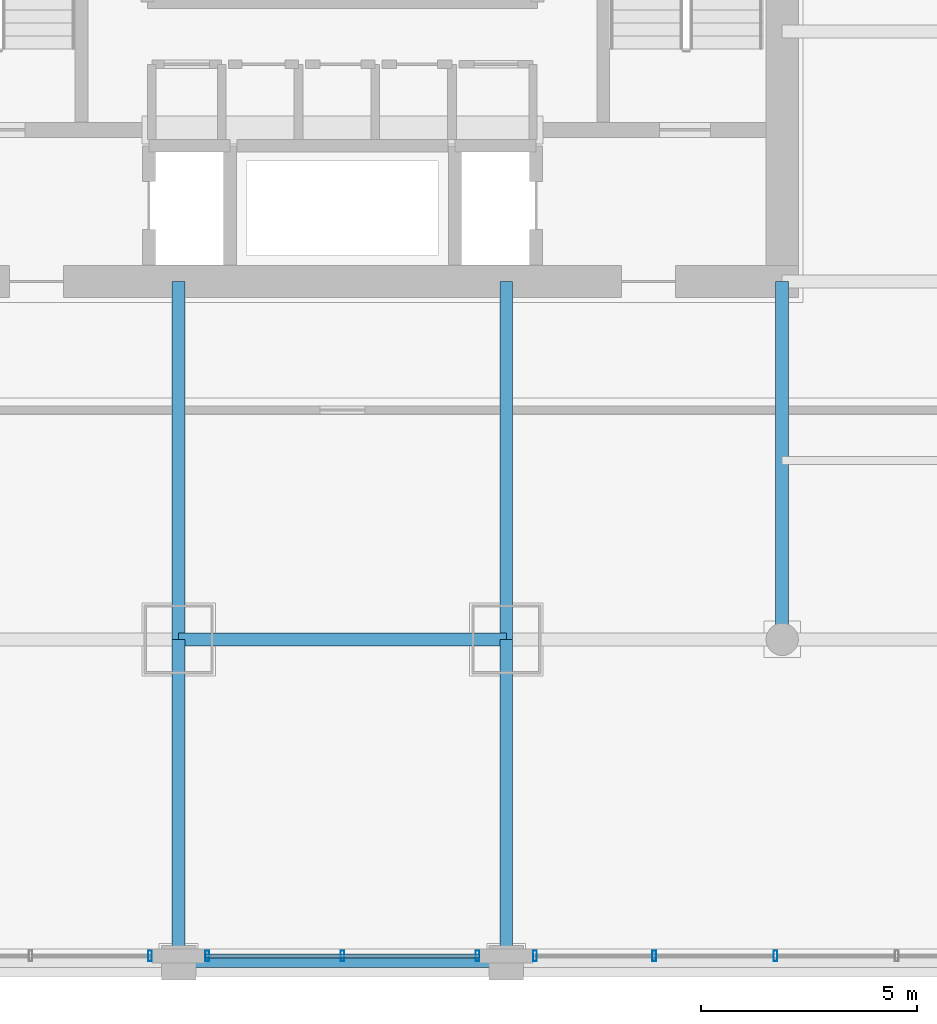
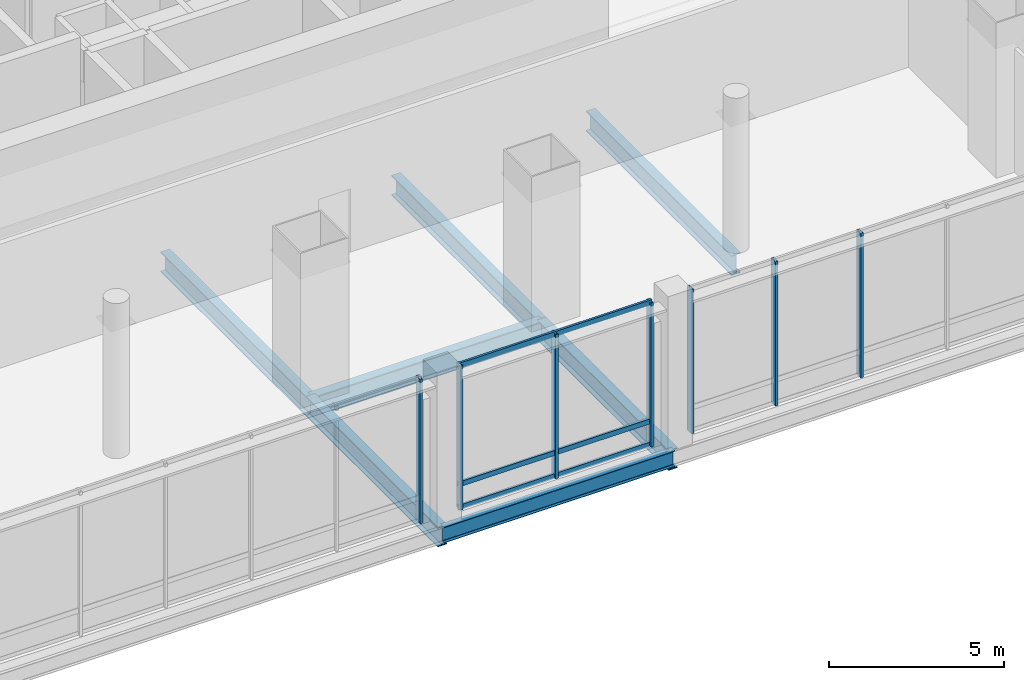
# One storey, part 6 of 35: 10 members, 7 beams, 3 elements without a shape of their own.
"""IFC4 building model written with IfcOpenShell, lengths in metres."""

from ifc_helpers import new_model, si_unit, direction, frame, origin, origin_2d, place, context, subcontext, project, spatial, hollow_rectangle, i_section, extrude, material, material_profile, profile_set, type_object, element, aggregate, save


model = new_model("IFC4")

# Units and contexts
model_context = context("Model", 3, precision=1e-05, world=origin(), true_north=direction((0.0, 1.0)))
body_context = subcontext(model_context, "Body", "Model", "MODEL_VIEW")
ifc_project = project(units=[si_unit("LENGTHUNIT", "METRE"), si_unit("AREAUNIT", "SQUARE_METRE"), si_unit("VOLUMEUNIT", "CUBIC_METRE"), si_unit("PLANEANGLEUNIT", "RADIAN"), si_unit("MASSUNIT", "GRAM", prefix="KILO")], contexts=[model_context])

# Site, building, storey
site_placement = place(None, origin())
site = spatial("IfcSite", under=ifc_project, at=site_placement, CompositionType="ELEMENT")
building_placement = place(site_placement, origin())
building = spatial("IfcBuilding", under=site, at=building_placement, Name="Punatoya Terracotta Tower", CompositionType="ELEMENT")
storey_placement = place(building_placement, frame((0.0, 0.0, 16.800048828125)))
storey = spatial("IfcBuildingStorey", under=building, at=storey_placement, Name="L03", CompositionType="ELEMENT", Elevation=16.800048828125)

# Beams
ifc_material_1 = material(Name="Steel S355", Category="steel")
ifc_material_profile_1 = material_profile(ifc_material_1, i_section(OverallWidth=0.300048828125, OverallDepth=0.699951171875, WebThickness=0.01708984375, FlangeThickness=0.031982421875, FilletRadius=0.01806640625, at=origin_2d()))
ifc_profile_set_1 = profile_set([ifc_material_profile_1], Name="Steel S355")
beam_type_1 = type_object("IfcBeamType", Name="BM-PRI-700", PredefinedType="BEAM", material=ifc_profile_set_1)
beam_1_placement = place(storey_placement, frame((-3.800048828125, -17.5, -0.630126953125), z_axis=(1.0, 0.0, 0.0), x_axis=(0.0, 1.0, 0.0)))
element("IfcBeam", 1, at=beam_1_placement, inside=storey, type_object=beam_type_1, Name="BM-L03-RG-S2", PredefinedType="BEAM", context=body_context, shape_type="SweptSolid", body=[
    extrude(i_section(OverallWidth=0.300048828125, OverallDepth=0.699951171875, WebThickness=0.01708984375, FlangeThickness=0.031982421875, FilletRadius=0.01806640625, at=origin_2d()), origin(), (0.0, 0.0, 1.0), 7.60009765625),
])
for number, where, z_axis, x_axis, name in (
    (2, (-3.800048828125, -17.5, -0.630126953125), (0.0, 1.0, 0.0), (-1.0, 0.0, 0.0), "BM-L03-PR-S2"),
    (3, (3.800048828125, -17.5, -0.630126953125), (0.0, 1.0, 0.0), (-1.0, 0.0, 0.0), "BM-L03-PR-S3"),
    (4, (10.199951171875, -17.5, -0.630126953125), (0.0, 1.0, 0.0), (-1.0, 0.0, 0.0), "BM-L03-PR-S4"),
):
    element("IfcBeam", number, at=place(storey_placement, frame(where, z_axis=z_axis, x_axis=x_axis)), inside=storey, type_object=beam_type_1, Name=name, PredefinedType="BEAM", context=body_context, shape_type="SweptSolid", body=[
        extrude(i_section(OverallWidth=0.300048828125, OverallDepth=0.699951171875, WebThickness=0.01708984375, FlangeThickness=0.031982421875, FilletRadius=0.01806640625, at=origin_2d()), origin(), (0.0, 0.0, 1.0), 8.300048828125),
    ])
for number, where, z_axis, x_axis, name in (
    (5, (-3.800048828125, -25.0, -0.630126953125), (0.0, 1.0, 0.0), (-1.0, 0.0, 0.0), "BM-L03-NS-3-S"),
    (6, (3.800048828125, -25.0, -0.630126953125), (0.0, 1.0, 0.0), (-1.0, 0.0, 0.0), "BM-L03-NS3-S"),
):
    element("IfcBeam", number, at=place(storey_placement, frame(where, z_axis=z_axis, x_axis=x_axis)), inside=storey, type_object=beam_type_1, Name=name, PredefinedType="BEAM", context=body_context, shape_type="SweptSolid", body=[
        extrude(i_section(OverallWidth=0.300048828125, OverallDepth=0.699951171875, WebThickness=0.01708984375, FlangeThickness=0.031982421875, FilletRadius=0.01806640625, at=origin_2d()), origin(), (0.0, 0.0, 1.0), 7.5),
    ])
ifc_material_profile_2 = material_profile(ifc_material_1, i_section(OverallWidth=0.2099609375, OverallDepth=0.550048828125, WebThickness=0.010986328125, FlangeThickness=0.01708984375, FilletRadius=0.01806640625, at=origin_2d()))
ifc_profile_set_2 = profile_set([ifc_material_profile_2], Name="Steel S355")
beam_type_2 = type_object("IfcBeamType", Name="BM-SPN-550", PredefinedType="SPANDREL", material=ifc_profile_set_2)
beam_2_placement = place(storey_placement, frame((-3.800048828125, -25.0, -0.554931640625), z_axis=(1.0, 0.0, 0.0), x_axis=(0.0, 1.0, 0.0)))
element("IfcBeam", 7, at=beam_2_placement, inside=storey, type_object=beam_type_2, Name="BM-L03-MIDA-2", PredefinedType="SPANDREL", context=body_context, shape_type="SweptSolid", body=[
    extrude(i_section(OverallWidth=0.2099609375, OverallDepth=0.550048828125, WebThickness=0.010986328125, FlangeThickness=0.01708984375, FilletRadius=0.01806640625, at=origin_2d()), origin(), (0.0, 0.0, 1.0), 7.60009765625),
])

# Curtain wall, member
ifc_material_2 = material(Name="Aluminium 6063-T6 + Double Low-E Glass", Category="aluminium")
curtain_wall_type = type_object("IfcCurtainWallType", Name="CW-POD", PredefinedType="NOTDEFINED", material=ifc_material_2)
curtain_wall_1_placement = place(storey_placement, origin())
curtain_wall_1 = element("IfcCurtainWall", 8, at=curtain_wall_1_placement, inside=storey, type_object=curtain_wall_type, Name="L03 Curtain Wall CWP-L03-S3", PredefinedType="NOTDEFINED")
ifc_material_3 = material(Name="Aluminium 6063-T6", Category="aluminium")
ifc_material_profile_3 = material_profile(ifc_material_3, hollow_rectangle(XDim=0.0849609375, YDim=0.239990234375, WallThickness=0.0048828125, at=origin_2d()))
ifc_profile_set_3 = profile_set([ifc_material_profile_3], Name="Aluminium 6063-T6")
member_type_1 = type_object("IfcMemberType", Name="CW-MUL-POD", PredefinedType="MULLION", material=ifc_profile_set_3)
member_1_placement = place(storey_placement, frame((-4.465087890625, -24.840087890625, 0.0), z_axis=(0.0, 0.0, 1.0), x_axis=(1.0, 0.0, 0.0)))
member_1 = element("IfcMember", 9, at=member_1_placement, type_object=member_type_1, Name="CWP-L03-S3 Mullion 05", PredefinedType="MULLION", context=body_context, shape_type="SweptSolid", body=[
    extrude(hollow_rectangle(XDim=0.0849609375, YDim=0.239990234375, WallThickness=0.0048828125, at=origin_2d()), origin(), (0.0, 0.0, 1.0), 5.02001953125),
])
aggregate(curtain_wall_1, [member_1])

# Curtain wall, members
curtain_wall_2_placement = place(storey_placement, origin())
curtain_wall_2 = element("IfcCurtainWall", 10, at=curtain_wall_2_placement, inside=storey, type_object=curtain_wall_type, Name="L03 Curtain Wall CWP-L03-S4", PredefinedType="NOTDEFINED")
member_2_placement = place(storey_placement, frame((-3.135009765625, -24.840087890625, 0.0), z_axis=(0.0, 0.0, 1.0), x_axis=(1.0, 0.0, 0.0)))
member_2 = element("IfcMember", 11, at=member_2_placement, type_object=member_type_1, Name="CWP-L03-S4 Mullion 00", PredefinedType="MULLION", context=body_context, shape_type="SweptSolid", body=[
    extrude(hollow_rectangle(XDim=0.0849609375, YDim=0.239990234375, WallThickness=0.0048828125, at=origin_2d()), origin(), (0.0, 0.0, 1.0), 5.02001953125),
])
member_3_placement = place(storey_placement, frame((0.0, -24.840087890625, 0.0), z_axis=(0.0, 0.0, 1.0), x_axis=(1.0, 0.0, 0.0)))
member_3 = element("IfcMember", 12, at=member_3_placement, type_object=member_type_1, Name="CWP-L03-S4 Mullion 01", PredefinedType="MULLION", context=body_context, shape_type="SweptSolid", body=[
    extrude(hollow_rectangle(XDim=0.0849609375, YDim=0.239990234375, WallThickness=0.0048828125, at=origin_2d()), origin(), (0.0, 0.0, 1.0), 5.02001953125),
])
member_4_placement = place(storey_placement, frame((3.135009765625, -24.840087890625, 0.0), z_axis=(0.0, 0.0, 1.0), x_axis=(1.0, 0.0, 0.0)))
member_4 = element("IfcMember", 13, at=member_4_placement, type_object=member_type_1, Name="CWP-L03-S4 Mullion 02", PredefinedType="MULLION", context=body_context, shape_type="SweptSolid", body=[
    extrude(hollow_rectangle(XDim=0.0849609375, YDim=0.239990234375, WallThickness=0.0048828125, at=origin_2d()), origin(), (0.0, 0.0, 1.0), 5.02001953125),
])

curtain_wall_3_placement = place(storey_placement, origin())
curtain_wall_3 = element("IfcCurtainWall", 14, at=curtain_wall_3_placement, inside=storey, type_object=curtain_wall_type, Name="L03 Curtain Wall CWP-L03-S5", PredefinedType="NOTDEFINED")
member_5_placement = place(storey_placement, frame((4.465087890625, -24.840087890625, 0.0), z_axis=(0.0, 0.0, 1.0), x_axis=(1.0, 0.0, 0.0)))
member_5 = element("IfcMember", 15, at=member_5_placement, type_object=member_type_1, Name="CWP-L03-S5 Mullion 00", PredefinedType="MULLION", context=body_context, shape_type="SweptSolid", body=[
    extrude(hollow_rectangle(XDim=0.0849609375, YDim=0.239990234375, WallThickness=0.0048828125, at=origin_2d()), origin(), (0.0, 0.0, 1.0), 5.02001953125),
])
member_6_placement = place(storey_placement, frame((7.23193359375, -24.840087890625, 0.0), z_axis=(0.0, 0.0, 1.0), x_axis=(1.0, 0.0, 0.0)))
member_6 = element("IfcMember", 16, at=member_6_placement, type_object=member_type_1, Name="CWP-L03-S5 Mullion 01", PredefinedType="MULLION", context=body_context, shape_type="SweptSolid", body=[
    extrude(hollow_rectangle(XDim=0.0849609375, YDim=0.239990234375, WallThickness=0.0048828125, at=origin_2d()), origin(), (0.0, 0.0, 1.0), 5.02001953125),
])
member_7_placement = place(storey_placement, frame((10.0439453125, -24.840087890625, 0.0), z_axis=(0.0, 0.0, 1.0), x_axis=(1.0, 0.0, 0.0)))
member_7 = element("IfcMember", 17, at=member_7_placement, type_object=member_type_1, Name="CWP-L03-S5 Mullion 02", PredefinedType="MULLION", context=body_context, shape_type="SweptSolid", body=[
    extrude(hollow_rectangle(XDim=0.0849609375, YDim=0.239990234375, WallThickness=0.0048828125, at=origin_2d()), origin(), (0.0, 0.0, 1.0), 5.02001953125),
])
aggregate(curtain_wall_3, [member_5, member_6, member_7])

# Member
ifc_material_profile_4 = material_profile(ifc_material_3, hollow_rectangle(XDim=0.074951171875, YDim=0.175048828125, WallThickness=0.00439453125, at=origin_2d()))
ifc_profile_set_4 = profile_set([ifc_material_profile_4], Name="Aluminium 6063-T6")
member_type_2 = type_object("IfcMemberType", Name="CW-TRN-POD", PredefinedType="USERDEFINED", material=ifc_profile_set_4)
member_8_placement = place(storey_placement, frame((-3.179931640625, -24.840087890625, 0.0400390625), z_axis=(1.0, 0.0, 0.0), x_axis=(0.0, 1.0, 0.0)))
member_8 = element("IfcMember", 18, at=member_8_placement, type_object=member_type_2, Name="CWP-L03-S4 Transom 1", ObjectType="TRANSOM", PredefinedType="USERDEFINED", context=body_context, shape_type="SweptSolid", body=[
    extrude(hollow_rectangle(XDim=0.074951171875, YDim=0.175048828125, WallThickness=0.00439453125, at=origin_2d()), origin(), (0.0, 0.0, 1.0), 6.35986328125),
])

member_9_placement = place(storey_placement, frame((-3.179931640625, -24.840087890625, 0.849853515625), z_axis=(1.0, 0.0, 0.0), x_axis=(0.0, 1.0, 0.0)))
member_9 = element("IfcMember", 19, at=member_9_placement, type_object=member_type_2, Name="CWP-L03-S4 Transom 2", ObjectType="TRANSOM", PredefinedType="USERDEFINED", context=body_context, shape_type="SweptSolid", body=[
    extrude(hollow_rectangle(XDim=0.074951171875, YDim=0.175048828125, WallThickness=0.00439453125, at=origin_2d()), origin(), (0.0, 0.0, 1.0), 6.35986328125),
])

member_10_placement = place(storey_placement, frame((-3.179931640625, -24.840087890625, 4.97998046875), z_axis=(1.0, 0.0, 0.0), x_axis=(0.0, 1.0, 0.0)))
member_10 = element("IfcMember", 20, at=member_10_placement, type_object=member_type_2, Name="CWP-L03-S4 Transom 3", ObjectType="TRANSOM", PredefinedType="USERDEFINED", context=body_context, shape_type="SweptSolid", body=[
    extrude(hollow_rectangle(XDim=0.074951171875, YDim=0.175048828125, WallThickness=0.00439453125, at=origin_2d()), origin(), (0.0, 0.0, 1.0), 6.35986328125),
])

aggregate(curtain_wall_2, [member_2, member_3, member_4, member_8, member_9, member_10])

save(model, "model.ifc")
